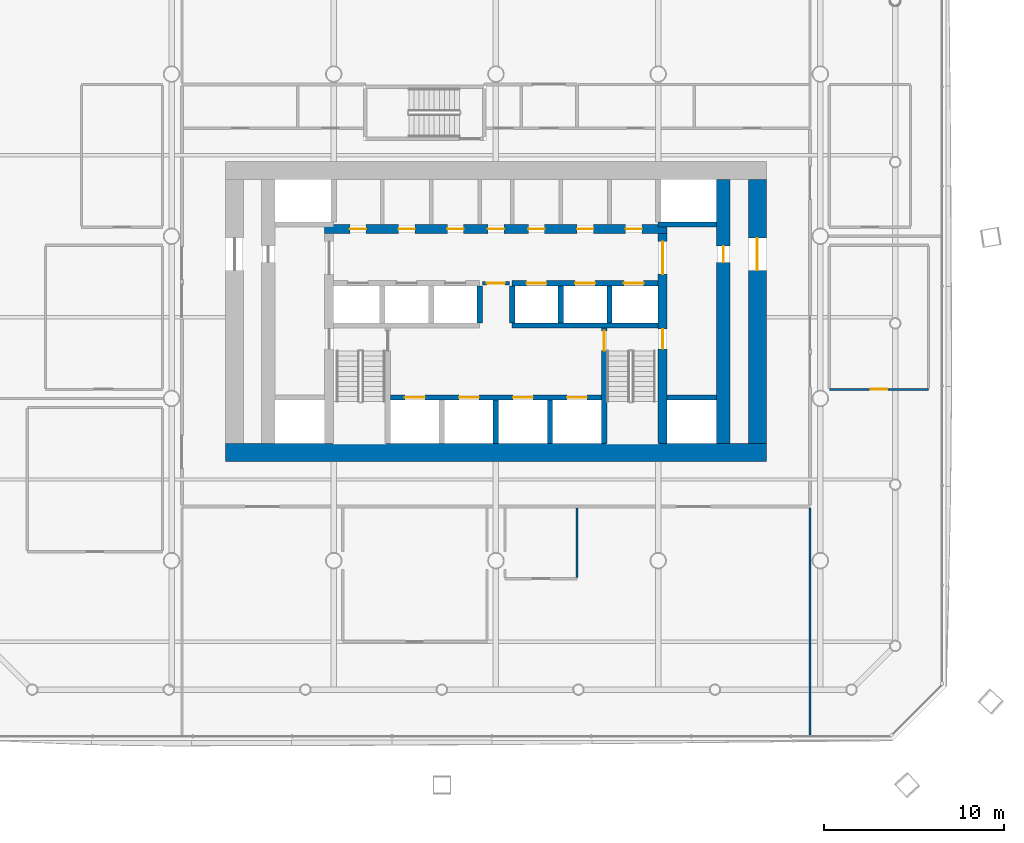
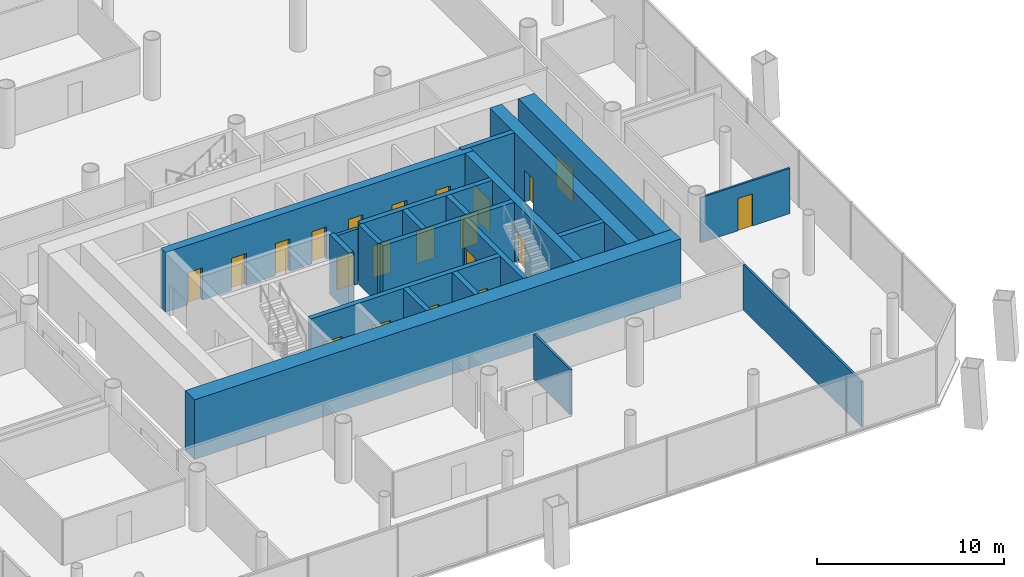
# One storey, part 15 of 22: 21 doors, 21 walls, 21 openings.
"""IFC4 building model written with IfcOpenShell, lengths in metres."""

import ifcopenshell
import ifcopenshell.guid

model = None  # the IFC model being written
_history = None  # IfcOwnerHistory: only IFC2X3 demands one
_inside = {}  # id of a spatial element -> (the spatial element, [elements in it])
_under = {}  # id of a project, library or spatial element -> (it, [spatial elements below it])
_declared = {}  # id of a project -> (the project, [libraries it declares])
_typed = {}  # id of a type object -> (the type object, [elements of that type])
_made_of = {}  # id of a material, layer set ... -> (it, [elements and type objects made of it])


def new_model(schema):
    """Start an empty IFC model of exactly this schema.

    Asked for "IFC4X3", IfcOpenShell would pick the latest addendum, in which some entities
    have other attributes; the version numbers below select the first issue.
    IFC2X3 requires an IfcOwnerHistory on every rooted entity: one is made here for all.
    """
    global model, _history
    if schema == "IFC4X3":
        model = ifcopenshell.file(schema_version=(4, 3, 0, 0))
    else:
        model = ifcopenshell.file(schema=schema)
    _inside.clear()
    _under.clear()
    _declared.clear()
    _typed.clear()
    _made_of.clear()
    _history = None
    if model.schema == "IFC2X3":
        org = make("IfcOrganization", Name="unknown")
        user = make(
            "IfcPersonAndOrganization",
            ThePerson=make("IfcPerson", FamilyName="unknown"),
            TheOrganization=org,
        )
        app = make(
            "IfcApplication",
            ApplicationDeveloper=org,
            Version="unknown",
            ApplicationFullName="unknown",
            ApplicationIdentifier="unknown",
        )
        _history = make(
            "IfcOwnerHistory",
            OwningUser=user,
            OwningApplication=app,
            ChangeAction="ADDED",
            CreationDate=0,
        )
    return model


def make(cls, **values):
    """One entity of the class cls with the attributes given. An attribute that is None is left unset."""
    return model.create_entity(
        cls, **{name: value for name, value in values.items() if value is not None}
    )


def rooted(cls, **values):
    """An entity with a GlobalId (a new one), such as an element, a storey or a relation."""
    return make(cls, GlobalId=ifcopenshell.guid.new(), OwnerHistory=_history, **values)


def si_unit(unit_type, name, prefix=None):
    """IfcSIUnit, for example si_unit("LENGTHUNIT", "METRE", prefix="MILLI")."""
    return make("IfcSIUnit", UnitType=unit_type, Prefix=prefix, Name=name)


def assignment(units):
    """IfcUnitAssignment: the units of a project."""
    return None if units is None else make("IfcUnitAssignment", Units=units)


def point(xyz):
    """IfcCartesianPoint."""
    return None if xyz is None else make("IfcCartesianPoint", Coordinates=xyz)


def direction(xyz):
    """IfcDirection."""
    return None if xyz is None else make("IfcDirection", DirectionRatios=xyz)


def frame(location, z_axis=None, x_axis=None):
    """IfcAxis2Placement3D, a coordinate frame: its origin and axes. An axis left out is left unset."""
    return make(
        "IfcAxis2Placement3D",
        Location=point(location),
        Axis=direction(z_axis),
        RefDirection=direction(x_axis),
    )


def frame_2d(location, x_axis=None):
    """IfcAxis2Placement2D, a coordinate frame in the plane: its origin and x axis."""
    return make(
        "IfcAxis2Placement2D", Location=point(location), RefDirection=direction(x_axis)
    )


def origin():
    """The frame at (0, 0, 0) with its axes left unset."""
    return frame((0.0, 0.0, 0.0))


def place(relative_to, where):
    """IfcLocalPlacement: puts the frame where relative to a parent placement (None: the world)."""
    return make(
        "IfcLocalPlacement", PlacementRelTo=relative_to, RelativePlacement=where
    )


def context(
    kind, dimensions, precision=None, world=None, true_north=None, identifier=None
):
    """IfcGeometricRepresentationContext, for example the 3D "Model" context."""
    return make(
        "IfcGeometricRepresentationContext",
        ContextIdentifier=identifier,
        ContextType=kind,
        CoordinateSpaceDimension=dimensions,
        Precision=precision,
        WorldCoordinateSystem=world,
        TrueNorth=true_north,
    )


def subcontext(parent, identifier, kind, view, scale=None):
    """IfcGeometricRepresentationSubContext, for example "Body" below "Model"."""
    return make(
        "IfcGeometricRepresentationSubContext",
        ContextIdentifier=identifier,
        ContextType=kind,
        ParentContext=parent,
        TargetScale=scale,
        TargetView=view,
    )


def project(units=None, contexts=None):
    """IfcProject with its units and contexts."""
    return rooted(
        "IfcProject",
        Name="project",
        RepresentationContexts=contexts,
        UnitsInContext=assignment(units),
    )


def spatial(cls, under=None, at=None, **own):
    """A site, building, storey or space (cls), placed at a placement, below another one or the project."""
    s = rooted(cls, ObjectPlacement=at, **own)
    if under is not None:
        _under.setdefault(under.id(), (under, []))[1].append(s)
    return s


def profile(cls, at=None, kind="AREA", **sizes):
    """A parametric profile (cls). Its sizes go by their IFC names, for example OverallWidth=200.0."""
    return make(cls, ProfileType=kind, Position=at, **sizes)


def rectangle(**sizes):
    """IfcRectangleProfileDef."""
    return profile("IfcRectangleProfileDef", **sizes)


def extrude(swept, where, along, depth):
    """IfcExtrudedAreaSolid: the profile swept, set in the frame where, extruded along a direction by depth."""
    return make(
        "IfcExtrudedAreaSolid",
        SweptArea=swept,
        Position=where,
        ExtrudedDirection=direction(along),
        Depth=depth,
    )


def shape(context_of_items, identifier, shape_type, items):
    """IfcShapeRepresentation: the items that make up one representation, for example the "Body"."""
    return make(
        "IfcShapeRepresentation",
        ContextOfItems=context_of_items,
        RepresentationIdentifier=identifier,
        RepresentationType=shape_type,
        Items=items,
    )


def material(Name=None, Category=None):
    """IfcMaterial."""
    return make("IfcMaterial", Name=Name, Category=Category)


def layer(
    of_material, thickness, ventilated=None, Name=None, Category=None, Priority=None
):
    """IfcMaterialLayer: one layer of a wall or slab, of a material (None: an air gap)."""
    return make(
        "IfcMaterialLayer",
        Material=of_material,
        LayerThickness=thickness,
        IsVentilated=ventilated,
        Name=Name,
        Category=Category,
        Priority=Priority,
    )


def layer_set(layers, Name=None):
    """IfcMaterialLayerSet."""
    return make("IfcMaterialLayerSet", MaterialLayers=layers, LayerSetName=Name)


def made_of(thing, what):
    """Note that an element or type object is made of a material, layer set ...; save() writes the relation."""
    if what is not None:
        _made_of.setdefault(what.id(), (what, []))[1].append(thing)
    return thing


def type_object(cls, material=None, **own):
    """A type object (cls), such as IfcWallType, which elements share."""
    return made_of(rooted(cls, **own), material)


def element(
    cls,
    number,
    at=None,
    inside=None,
    cuts=None,
    type_object=None,
    material=None,
    context=None,
    identifier="Body",
    shape_type=None,
    held_by="IfcProductDefinitionShape",
    body=None,
    shapes=None,
    **own,
):
    """One element of the class cls, such as IfcWall. Its Tag is "e" and its number.

    at: its placement. inside: the storey or other place that contains it. cuts: it is an
    opening in that element (IfcRelVoidsElement). A single representation is given by context,
    identifier, shape_type and body (its items); several are given by shapes. held_by: the class
    of the entity that holds the representations. save() writes the other relations.
    """
    e = rooted(cls, Tag="e%d" % number, ObjectPlacement=at, **own)
    if body is not None:
        shapes = [shape(context, identifier, shape_type, body)]
    if shapes is not None:
        e.Representation = make(held_by, Representations=shapes)
    if inside is not None:
        _inside.setdefault(inside.id(), (inside, []))[1].append(e)
    if cuts is not None:
        rooted(
            "IfcRelVoidsElement", RelatingBuildingElement=cuts, RelatedOpeningElement=e
        )
    if type_object is not None:
        _typed.setdefault(type_object.id(), (type_object, []))[1].append(e)
    return made_of(e, material)


def fill(opening, filler):
    """IfcRelFillsElement: the door or window that sits in an opening."""
    return rooted(
        "IfcRelFillsElement",
        RelatingOpeningElement=opening,
        RelatedBuildingElement=filler,
    )


def aggregate(whole, parts):
    """IfcRelAggregates: a whole, such as a stair, and the parts it consists of."""
    return rooted("IfcRelAggregates", RelatingObject=whole, RelatedObjects=parts)


def save(model, path):
    """Write the relations noted so far, then the file.

    IfcRelAggregates (storeys below a building ...), IfcRelContainedInSpatialStructure (elements
    in a storey), IfcRelDefinesByType, IfcRelAssociatesMaterial and IfcRelDeclares: one each for
    every whole, place, type object, material and project.
    """
    for whole, parts in _under.values():
        aggregate(whole, parts)
    for where, things in _inside.values():
        rooted(
            "IfcRelContainedInSpatialStructure",
            RelatedElements=things,
            RelatingStructure=where,
        )
    for kind, things in _typed.values():
        rooted("IfcRelDefinesByType", RelatedObjects=things, RelatingType=kind)
    for what, things in _made_of.values():
        rooted("IfcRelAssociatesMaterial", RelatedObjects=things, RelatingMaterial=what)
    for by, libraries in _declared.values():
        rooted("IfcRelDeclares", RelatingContext=by, RelatedDefinitions=libraries)
    model.write(path)


model = new_model("IFC4")

# Units and contexts
model_context = context("Model", 3, precision=1e-05, world=origin(), true_north=direction((0.0, 1.0)))
body_context = subcontext(model_context, "Body", "Model", "MODEL_VIEW")
ifc_project = project(units=[si_unit("LENGTHUNIT", "METRE"), si_unit("AREAUNIT", "SQUARE_METRE"), si_unit("VOLUMEUNIT", "CUBIC_METRE"), si_unit("PLANEANGLEUNIT", "RADIAN"), si_unit("MASSUNIT", "GRAM", prefix="KILO")], contexts=[model_context])

# Site, building, storey
site_placement = place(None, origin())
site = spatial("IfcSite", under=ifc_project, at=site_placement, CompositionType="ELEMENT")
building_placement = place(site_placement, origin())
building = spatial("IfcBuilding", under=site, at=building_placement, Name="Tskaro Facet Tower", CompositionType="ELEMENT")
storey_placement = place(building_placement, frame((0.0, 0.0, 18.60009765625)))
storey = spatial("IfcBuildingStorey", under=building, at=storey_placement, Name="L03", CompositionType="ELEMENT", Elevation=18.60009765625)

# Wall, openings, doors
ifc_material_1 = material(Name="Concrete C60/75", Category="concrete")
ifc_layer_1 = layer(ifc_material_1, 0.300048828125, Name="Concrete C60/75")
ifc_layer_set_1 = layer_set([ifc_layer_1], Name="Concrete C60/75")
wall_type_1 = type_object("IfcWallType", Name="CORE-SHAFT", PredefinedType="SHEAR", material=ifc_layer_set_1)
wall_1_placement = place(storey_placement, frame((-5.85009765625, -8.949951171875, 0.0), z_axis=(0.0, 0.0, 1.0), x_axis=(1.0, 0.0, 0.0)))
wall_1 = element("IfcWall", 1, at=wall_1_placement, inside=storey, type_object=wall_type_1, Name="Shaft wall W008", PredefinedType="SHEAR", context=body_context, shape_type="SweptSolid", body=[
    extrude(rectangle(XDim=11.7001953125, YDim=0.300048828125, at=frame_2d((5.85009765625, 0.0))), origin(), (0.0, 0.0, 1.0), 3.89990234375),
])
opening_1_placement = place(wall_1_placement, frame((0.800048828125, 0.0, 0.0)))
opening_1 = element("IfcOpeningElement", 2, at=opening_1_placement, cuts=wall_1, Name="Opening LD-FF1", PredefinedType="OPENING", context=body_context, shape_type="SweptSolid", body=[
    extrude(rectangle(XDim=1.10009765625, YDim=2.10009765625, at=frame_2d((0.550048828125, 1.050048828125))), frame((0.0, 0.159912109375, 0.0), z_axis=(0.0, -1.0, 0.0), x_axis=(1.0, 0.0, 0.0)), (0.0, 0.0, 1.0), 0.320068359375),
])
opening_2_placement = place(wall_1_placement, frame((3.800048828125, 0.0, 0.0)))
opening_2 = element("IfcOpeningElement", 3, at=opening_2_placement, cuts=wall_1, Name="Opening LD-FF2", PredefinedType="OPENING", context=body_context, shape_type="SweptSolid", body=[
    extrude(rectangle(XDim=1.10009765625, YDim=2.10009765625, at=frame_2d((0.550048828125, 1.050048828125))), frame((0.0, 0.159912109375, 0.0), z_axis=(0.0, -1.0, 0.0), x_axis=(1.0, 0.0, 0.0)), (0.0, 0.0, 1.0), 0.320068359375),
])
opening_3_placement = place(wall_1_placement, frame((6.800048828125, 0.0, 0.0)))
opening_3 = element("IfcOpeningElement", 4, at=opening_3_placement, cuts=wall_1, Name="Opening LD-SV1", PredefinedType="OPENING", context=body_context, shape_type="SweptSolid", body=[
    extrude(rectangle(XDim=1.10009765625, YDim=2.10009765625, at=frame_2d((0.550048828125, 1.050048828125))), frame((0.0, 0.159912109375, 0.0), z_axis=(0.0, -1.0, 0.0), x_axis=(1.0, 0.0, 0.0)), (0.0, 0.0, 1.0), 0.320068359375),
])
opening_4_placement = place(wall_1_placement, frame((9.800048828125, 0.0, 0.0)))
opening_4 = element("IfcOpeningElement", 5, at=opening_4_placement, cuts=wall_1, Name="Opening LD-SV2", PredefinedType="OPENING", context=body_context, shape_type="SweptSolid", body=[
    extrude(rectangle(XDim=1.10009765625, YDim=2.10009765625, at=frame_2d((0.550048828125, 1.050048828125))), frame((0.0, 0.159912109375, 0.0), z_axis=(0.0, -1.0, 0.0), x_axis=(1.0, 0.0, 0.0)), (0.0, 0.0, 1.0), 0.320068359375),
])
ifc_material_2 = material(Name="Stainless steel", Category="steel")
door_type_1 = type_object("IfcDoorType", Name="D-LANDING", OperationType="NOTDEFINED", PredefinedType="DOOR", material=ifc_material_2)
door_1_placement = place(opening_1_placement, origin())
door_1 = element("IfcDoor", 6, at=door_1_placement, inside=storey, type_object=door_type_1, Name="Landing door FF1", OperationType="DOUBLE_DOOR_SLIDING", OverallHeight=2.10009765625, OverallWidth=1.10009765625, PredefinedType="DOOR", context=body_context, shape_type="SweptSolid", body=[
    extrude(rectangle(XDim=1.10009765625, YDim=2.10009765625, at=frame_2d((0.550048828125, 1.050048828125))), frame((0.0, 0.02490234375, 0.0), z_axis=(0.0, -1.0, 0.0), x_axis=(1.0, 0.0, 0.0)), (0.0, 0.0, 1.0), 0.050048828125),
])
fill(opening_1, door_1)
door_2_placement = place(opening_2_placement, origin())
door_2 = element("IfcDoor", 7, at=door_2_placement, inside=storey, type_object=door_type_1, Name="Landing door FF2", OperationType="DOUBLE_DOOR_SLIDING", OverallHeight=2.10009765625, OverallWidth=1.10009765625, PredefinedType="DOOR", context=body_context, shape_type="SweptSolid", body=[
    extrude(rectangle(XDim=1.10009765625, YDim=2.10009765625, at=frame_2d((0.550048828125, 1.050048828125))), frame((0.0, 0.02490234375, 0.0), z_axis=(0.0, -1.0, 0.0), x_axis=(1.0, 0.0, 0.0)), (0.0, 0.0, 1.0), 0.050048828125),
])
fill(opening_2, door_2)
door_3_placement = place(opening_3_placement, origin())
door_3 = element("IfcDoor", 8, at=door_3_placement, inside=storey, type_object=door_type_1, Name="Landing door SV1", OperationType="DOUBLE_DOOR_SLIDING", OverallHeight=2.10009765625, OverallWidth=1.10009765625, PredefinedType="DOOR", context=body_context, shape_type="SweptSolid", body=[
    extrude(rectangle(XDim=1.10009765625, YDim=2.10009765625, at=frame_2d((0.550048828125, 1.050048828125))), frame((0.0, 0.02490234375, 0.0), z_axis=(0.0, -1.0, 0.0), x_axis=(1.0, 0.0, 0.0)), (0.0, 0.0, 1.0), 0.050048828125),
])
fill(opening_3, door_3)
door_4_placement = place(opening_4_placement, origin())
door_4 = element("IfcDoor", 9, at=door_4_placement, inside=storey, type_object=door_type_1, Name="Landing door SV2", OperationType="DOUBLE_DOOR_SLIDING", OverallHeight=2.10009765625, OverallWidth=1.10009765625, PredefinedType="DOOR", context=body_context, shape_type="SweptSolid", body=[
    extrude(rectangle(XDim=1.10009765625, YDim=2.10009765625, at=frame_2d((0.550048828125, 1.050048828125))), frame((0.0, 0.02490234375, 0.0), z_axis=(0.0, -1.0, 0.0), x_axis=(1.0, 0.0, 0.0)), (0.0, 0.0, 1.0), 0.050048828125),
])
fill(opening_4, door_4)

# Walls
wall_2_placement = place(storey_placement, frame((9.5, -8.949951171875, 0.0), z_axis=(0.0, 0.0, 1.0), x_axis=(1.0, 0.0, 0.0)))
element("IfcWall", 10, at=wall_2_placement, inside=storey, type_object=wall_type_1, Name="Shaft wall W009", PredefinedType="SHEAR", context=body_context, shape_type="SweptSolid", body=[
    extrude(rectangle(XDim=2.75, YDim=0.300048828125, at=frame_2d((1.375, 0.0))), origin(), (0.0, 0.0, 1.0), 3.89990234375),
])
wall_3_placement = place(storey_placement, frame((0.89990234375, -4.949951171875, 0.0), z_axis=(0.0, 0.0, 1.0), x_axis=(1.0, 0.0, 0.0)))
element("IfcWall", 11, at=wall_3_placement, inside=storey, type_object=wall_type_1, Name="Shaft wall W013", PredefinedType="SHEAR", context=body_context, shape_type="SweptSolid", body=[
    extrude(rectangle(XDim=8.10009765625, YDim=0.300048828125, at=frame_2d((4.050048828125, 0.0))), origin(), (0.0, 0.0, 1.0), 3.89990234375),
])

# Wall, openings, doors
wall_4_placement = place(storey_placement, frame((0.89990234375, -2.60009765625, 0.0), z_axis=(0.0, 0.0, 1.0), x_axis=(1.0, 0.0, 0.0)))
wall_4 = element("IfcWall", 12, at=wall_4_placement, inside=storey, type_object=wall_type_1, Name="Shaft wall W016", PredefinedType="SHEAR", context=body_context, shape_type="SweptSolid", body=[
    extrude(rectangle(XDim=8.10009765625, YDim=0.300048828125, at=frame_2d((4.050048828125, 0.0))), origin(), (0.0, 0.0, 1.0), 3.89990234375),
])
opening_5_placement = place(wall_4_placement, frame((0.800048828125, 0.0, 0.0)))
opening_5 = element("IfcOpeningElement", 13, at=opening_5_placement, cuts=wall_4, Name="Opening LD-LR4", PredefinedType="OPENING", context=body_context, shape_type="SweptSolid", body=[
    extrude(rectangle(XDim=1.10009765625, YDim=2.10009765625, at=frame_2d((0.550048828125, 1.050048828125))), frame((0.0, 0.159912109375, 0.0), z_axis=(0.0, -1.0, 0.0), x_axis=(1.0, 0.0, 0.0)), (0.0, 0.0, 1.0), 0.320068359375),
])
opening_6_placement = place(wall_4_placement, frame((3.5, 0.0, 0.0)))
opening_6 = element("IfcOpeningElement", 14, at=opening_6_placement, cuts=wall_4, Name="Opening LD-LR5", PredefinedType="OPENING", context=body_context, shape_type="SweptSolid", body=[
    extrude(rectangle(XDim=1.10009765625, YDim=2.10009765625, at=frame_2d((0.550048828125, 1.050048828125))), frame((0.0, 0.159912109375, 0.0), z_axis=(0.0, -1.0, 0.0), x_axis=(1.0, 0.0, 0.0)), (0.0, 0.0, 1.0), 0.320068359375),
])
opening_7_placement = place(wall_4_placement, frame((6.199951171875, 0.0, 0.0)))
opening_7 = element("IfcOpeningElement", 15, at=opening_7_placement, cuts=wall_4, Name="Opening LD-LR6", PredefinedType="OPENING", context=body_context, shape_type="SweptSolid", body=[
    extrude(rectangle(XDim=1.10009765625, YDim=2.10009765625, at=frame_2d((0.550048828125, 1.050048828125))), frame((0.0, 0.159912109375, 0.0), z_axis=(0.0, -1.0, 0.0), x_axis=(1.0, 0.0, 0.0)), (0.0, 0.0, 1.0), 0.320068359375),
])
door_5_placement = place(opening_5_placement, origin())
door_5 = element("IfcDoor", 16, at=door_5_placement, inside=storey, type_object=door_type_1, Name="Landing door LR4", OperationType="DOUBLE_DOOR_SLIDING", OverallHeight=2.10009765625, OverallWidth=1.10009765625, PredefinedType="DOOR", context=body_context, shape_type="SweptSolid", body=[
    extrude(rectangle(XDim=1.10009765625, YDim=2.10009765625, at=frame_2d((0.550048828125, 1.050048828125))), frame((0.0, 0.02490234375, 0.0), z_axis=(0.0, -1.0, 0.0), x_axis=(1.0, 0.0, 0.0)), (0.0, 0.0, 1.0), 0.050048828125),
])
fill(opening_5, door_5)
door_6_placement = place(opening_6_placement, origin())
door_6 = element("IfcDoor", 17, at=door_6_placement, inside=storey, type_object=door_type_1, Name="Landing door LR5", OperationType="DOUBLE_DOOR_SLIDING", OverallHeight=2.10009765625, OverallWidth=1.10009765625, PredefinedType="DOOR", context=body_context, shape_type="SweptSolid", body=[
    extrude(rectangle(XDim=1.10009765625, YDim=2.10009765625, at=frame_2d((0.550048828125, 1.050048828125))), frame((0.0, 0.02490234375, 0.0), z_axis=(0.0, -1.0, 0.0), x_axis=(1.0, 0.0, 0.0)), (0.0, 0.0, 1.0), 0.050048828125),
])
fill(opening_6, door_6)
door_7_placement = place(opening_7_placement, origin())
door_7 = element("IfcDoor", 18, at=door_7_placement, inside=storey, type_object=door_type_1, Name="Landing door LR6", OperationType="DOUBLE_DOOR_SLIDING", OverallHeight=2.10009765625, OverallWidth=1.10009765625, PredefinedType="DOOR", context=body_context, shape_type="SweptSolid", body=[
    extrude(rectangle(XDim=1.10009765625, YDim=2.10009765625, at=frame_2d((0.550048828125, 1.050048828125))), frame((0.0, 0.02490234375, 0.0), z_axis=(0.0, -1.0, 0.0), x_axis=(1.0, 0.0, 0.0)), (0.0, 0.0, 1.0), 0.050048828125),
])
fill(opening_7, door_7)

# Walls
wall_5_placement = place(storey_placement, frame((12.25, 0.64990234375, 0.0), z_axis=(0.0, 0.0, 1.0), x_axis=(-1.0, 0.0, 0.0)))
element("IfcWall", 19, at=wall_5_placement, inside=storey, type_object=wall_type_1, Name="Shaft wall W023", PredefinedType="SHEAR", context=body_context, shape_type="SweptSolid", body=[
    extrude(rectangle(XDim=3.25, YDim=0.300048828125, at=frame_2d((1.625, 0.0))), origin(), (0.0, 0.0, 1.0), 3.89990234375),
])
wall_6_placement = place(storey_placement, frame((-0.89990234375, -4.800048828125, 0.0), z_axis=(0.0, 0.0, 1.0), x_axis=(0.0, 1.0, 0.0)))
element("IfcWall", 20, at=wall_6_placement, inside=storey, type_object=wall_type_1, Name="Shaft wall W057", PredefinedType="SHEAR", context=body_context, shape_type="SweptSolid", body=[
    extrude(rectangle(XDim=2.050048828125, YDim=0.300048828125, at=frame_2d((1.02490234375, 0.0))), origin(), (0.0, 0.0, 1.0), 3.89990234375),
])
wall_7_placement = place(storey_placement, frame((0.0, -11.5, 0.0), z_axis=(0.0, 0.0, 1.0), x_axis=(0.0, 1.0, 0.0)))
element("IfcWall", 21, at=wall_7_placement, inside=storey, type_object=wall_type_1, Name="Shaft wall W063", PredefinedType="SHEAR", context=body_context, shape_type="SweptSolid", body=[
    extrude(rectangle(XDim=2.39990234375, YDim=0.300048828125, at=frame_2d((1.199951171875, 0.0))), origin(), (0.0, 0.0, 1.0), 3.89990234375),
])
wall_8_placement = place(storey_placement, frame((0.89990234375, -4.800048828125, 0.0), z_axis=(0.0, 0.0, 1.0), x_axis=(0.0, 1.0, 0.0)))
element("IfcWall", 22, at=wall_8_placement, inside=storey, type_object=wall_type_1, Name="Shaft wall W066", PredefinedType="SHEAR", context=body_context, shape_type="SweptSolid", body=[
    extrude(rectangle(XDim=2.050048828125, YDim=0.300048828125, at=frame_2d((1.02490234375, 0.0))), origin(), (0.0, 0.0, 1.0), 3.89990234375),
])
wall_9_placement = place(storey_placement, frame((3.0, -11.5, 0.0), z_axis=(0.0, 0.0, 1.0), x_axis=(0.0, 1.0, 0.0)))
element("IfcWall", 23, at=wall_9_placement, inside=storey, type_object=wall_type_1, Name="Shaft wall W069", PredefinedType="SHEAR", context=body_context, shape_type="SweptSolid", body=[
    extrude(rectangle(XDim=2.39990234375, YDim=0.300048828125, at=frame_2d((1.199951171875, 0.0))), origin(), (0.0, 0.0, 1.0), 3.89990234375),
])
wall_10_placement = place(storey_placement, frame((3.60009765625, -4.800048828125, 0.0), z_axis=(0.0, 0.0, 1.0), x_axis=(0.0, 1.0, 0.0)))
element("IfcWall", 24, at=wall_10_placement, inside=storey, type_object=wall_type_1, Name="Shaft wall W070", PredefinedType="SHEAR", context=body_context, shape_type="SweptSolid", body=[
    extrude(rectangle(XDim=2.050048828125, YDim=0.300048828125, at=frame_2d((1.02490234375, 0.0))), origin(), (0.0, 0.0, 1.0), 3.89990234375),
])

# Wall, opening, door
wall_11_placement = place(storey_placement, frame((6.0, -5.10009765625, 0.0), z_axis=(0.0, 0.0, 1.0), x_axis=(0.0, -1.0, 0.0)))
wall_11 = element("IfcWall", 25, at=wall_11_placement, inside=storey, type_object=wall_type_1, Name="Shaft wall W074", PredefinedType="SHEAR", context=body_context, shape_type="SweptSolid", body=[
    extrude(rectangle(XDim=6.39990234375, YDim=0.300048828125, at=frame_2d((3.199951171875, 0.0))), origin(), (0.0, 0.0, 1.0), 3.89990234375),
])
opening_8_placement = place(wall_11_placement, frame((0.14990234375, 0.0, 0.0)))
opening_8 = element("IfcOpeningElement", 26, at=opening_8_placement, cuts=wall_11, Name="Opening ST-2-D1", PredefinedType="OPENING", context=body_context, shape_type="SweptSolid", body=[
    extrude(rectangle(XDim=1.10009765625, YDim=2.10009765625, at=frame_2d((0.550048828125, 1.050048828125))), frame((0.0, 0.159912109375, 0.0), z_axis=(0.0, -1.0, 0.0), x_axis=(1.0, 0.0, 0.0)), (0.0, 0.0, 1.0), 0.320068359375),
])
ifc_material_3 = material(Name="Steel", Category="steel")
door_type_2 = type_object("IfcDoorType", Name="D-STAIR", OperationType="NOTDEFINED", PredefinedType="DOOR", material=ifc_material_3)
door_8_placement = place(opening_8_placement, origin())
door_8 = element("IfcDoor", 27, at=door_8_placement, inside=storey, type_object=door_type_2, Name="Stair door 2", OperationType="SINGLE_SWING_RIGHT", OverallHeight=2.10009765625, OverallWidth=1.10009765625, PredefinedType="DOOR", context=body_context, shape_type="SweptSolid", body=[
    extrude(rectangle(XDim=1.10009765625, YDim=2.10009765625, at=frame_2d((0.550048828125, 1.050048828125))), frame((0.0, 0.02490234375, 0.0), z_axis=(0.0, -1.0, 0.0), x_axis=(1.0, 0.0, 0.0)), (0.0, 0.0, 1.0), 0.050048828125),
])
fill(opening_8, door_8)

# Wall
wall_12_placement = place(storey_placement, frame((6.300048828125, -4.800048828125, 0.0), z_axis=(0.0, 0.0, 1.0), x_axis=(0.0, 1.0, 0.0)))
element("IfcWall", 28, at=wall_12_placement, inside=storey, type_object=wall_type_1, Name="Shaft wall W075", PredefinedType="SHEAR", context=body_context, shape_type="SweptSolid", body=[
    extrude(rectangle(XDim=2.050048828125, YDim=0.300048828125, at=frame_2d((1.02490234375, 0.0))), origin(), (0.0, 0.0, 1.0), 3.89990234375),
])

# Wall, opening, door
ifc_material_4 = material(Name="Concrete C20/25", Category="concrete")
ifc_layer_2 = layer(ifc_material_4, 0.199951171875, Name="Concrete C20/25")
ifc_layer_set_2 = layer_set([ifc_layer_2], Name="Concrete C20/25")
wall_type_2 = type_object("IfcWallType", Name="CORE-WALL", PredefinedType="SOLIDWALL", material=ifc_layer_set_2)
wall_13_placement = place(storey_placement, frame((0.75, -2.60009765625, 0.0), z_axis=(0.0, 0.0, 1.0), x_axis=(-1.0, 0.0, 0.0)))
wall_13 = element("IfcWall", 29, at=wall_13_placement, inside=storey, type_object=wall_type_2, Name="Core room wall W015", PredefinedType="SOLIDWALL", context=body_context, shape_type="SweptSolid", body=[
    extrude(rectangle(XDim=1.5, YDim=0.199951171875, at=frame_2d((0.75, 0.0))), origin(), (0.0, 0.0, 1.0), 3.599853515625),
])
opening_9_placement = place(wall_13_placement, frame((0.25, 0.0, 0.0)))
opening_9 = element("IfcOpeningElement", 30, at=opening_9_placement, cuts=wall_13, Name="Opening FL-D1", PredefinedType="OPENING", context=body_context, shape_type="SweptSolid", body=[
    extrude(rectangle(XDim=1.0, YDim=2.10009765625, at=frame_2d((0.5, 1.050048828125))), frame((0.0, 0.10986328125, 0.0), z_axis=(0.0, -1.0, 0.0), x_axis=(1.0, 0.0, 0.0)), (0.0, 0.0, 1.0), 0.219970703125),
])
door_type_3 = type_object("IfcDoorType", Name="D-LOBBY", OperationType="NOTDEFINED", PredefinedType="DOOR", material=ifc_material_3)
door_9_placement = place(opening_9_placement, origin())
door_9 = element("IfcDoor", 31, at=door_9_placement, inside=storey, type_object=door_type_3, Name="Lobby door FL", OperationType="SINGLE_SWING_RIGHT", OverallHeight=2.10009765625, OverallWidth=1.0, PredefinedType="DOOR", context=body_context, shape_type="SweptSolid", body=[
    extrude(rectangle(XDim=1.0, YDim=2.10009765625, at=frame_2d((0.5, 1.050048828125))), frame((0.0, 0.02490234375, 0.0), z_axis=(0.0, -1.0, 0.0), x_axis=(1.0, 0.0, 0.0)), (0.0, 0.0, 1.0), 0.050048828125),
])
fill(opening_9, door_9)

# Wall
ifc_layer_3 = layer(ifc_material_1, 1.0, Name="Concrete C60/75")
ifc_layer_set_3 = layer_set([ifc_layer_3], Name="Concrete C60/75")
wall_type_3 = type_object("IfcWallType", Name="Core wall 1000", PredefinedType="SHEAR", material=ifc_layer_set_3)
wall_14_placement = place(storey_placement, frame((-15.0, -12.0, 0.0), z_axis=(0.0, 0.0, 1.0), x_axis=(1.0, 0.0, 0.0)))
element("IfcWall", 32, at=wall_14_placement, inside=storey, type_object=wall_type_3, Name="Core wall CW-Z1S", PredefinedType="SHEAR", context=body_context, shape_type="SweptSolid", body=[
    extrude(rectangle(XDim=30.0, YDim=1.0, at=frame_2d((15.0, 0.0))), origin(), (0.0, 0.0, 1.0), 3.89990234375),
])

# Wall, opening, door
wall_15_placement = place(storey_placement, frame((14.5, -11.5, 0.0), z_axis=(0.0, 0.0, 1.0), x_axis=(0.0, 1.0, 0.0)))
wall_15 = element("IfcWall", 33, at=wall_15_placement, inside=storey, type_object=wall_type_3, Name="Core wall CW-Z1E", PredefinedType="SHEAR", context=body_context, shape_type="SweptSolid", body=[
    extrude(rectangle(XDim=14.64990234375, YDim=1.0, at=frame_2d((7.324951171875, 0.0))), origin(), (0.0, 0.0, 1.0), 3.89990234375),
])
opening_10_placement = place(wall_15_placement, frame((9.60009765625, 0.0, 0.0)))
opening_10 = element("IfcOpeningElement", 34, at=opening_10_placement, cuts=wall_15, Name="Opening T0-D20", PredefinedType="OPENING", context=body_context, shape_type="SweptSolid", body=[
    extrude(rectangle(XDim=1.800048828125, YDim=2.10009765625, at=frame_2d((0.89990234375, 1.050048828125))), frame((0.0, 0.510009765625, 0.0), z_axis=(0.0, -1.0, 0.0), x_axis=(1.0, 0.0, 0.0)), (0.0, 0.0, 1.0), 1.02001953125),
])
door_type_4 = type_object("IfcDoorType", Name="D-CORE-PAIR", OperationType="NOTDEFINED", PredefinedType="DOOR", material=ifc_material_3)
door_10_placement = place(opening_10_placement, origin())
door_10 = element("IfcDoor", 35, at=door_10_placement, inside=storey, type_object=door_type_4, Name="Door T0-D20", OperationType="DOUBLE_DOOR_SINGLE_SWING", OverallHeight=2.10009765625, OverallWidth=1.800048828125, PredefinedType="DOOR", context=body_context, shape_type="SweptSolid", body=[
    extrude(rectangle(XDim=1.800048828125, YDim=2.10009765625, at=frame_2d((0.89990234375, 1.050048828125))), frame((0.0, 0.02490234375, 0.0), z_axis=(0.0, -1.0, 0.0), x_axis=(1.0, 0.0, 0.0)), (0.0, 0.0, 1.0), 0.050048828125),
])
fill(opening_10, door_10)

# Wall, openings, doors
ifc_material_5 = material(Name="Concrete C40/50", Category="concrete")
ifc_layer_4 = layer(ifc_material_5, 0.5, Name="Concrete C40/50")
ifc_layer_set_4 = layer_set([ifc_layer_4], Name="Concrete C40/50")
wall_type_4 = type_object("IfcWallType", Name="Core wall 500", PredefinedType="SHEAR", material=ifc_layer_set_4)
wall_16_placement = place(storey_placement, frame((-9.5, 0.39990234375, 0.0), z_axis=(0.0, 0.0, 1.0), x_axis=(1.0, 0.0, 0.0)))
wall_16 = element("IfcWall", 36, at=wall_16_placement, inside=storey, type_object=wall_type_4, Name="Core wall CW-Z3N", PredefinedType="SHEAR", context=body_context, shape_type="SweptSolid", body=[
    extrude(rectangle(XDim=19.0, YDim=0.5, at=frame_2d((9.5, 0.0))), origin(), (0.0, 0.0, 1.0), 3.89990234375),
])
opening_11_placement = place(wall_16_placement, frame((1.39990234375, 0.0, 0.0)))
opening_11 = element("IfcOpeningElement", 37, at=opening_11_placement, cuts=wall_16, Name="Opening T0-D21", PredefinedType="OPENING", context=body_context, shape_type="SweptSolid", body=[
    extrude(rectangle(XDim=0.89990234375, YDim=2.10009765625, at=frame_2d((0.449951171875, 1.050048828125))), frame((0.0, 0.260009765625, 0.0), z_axis=(0.0, -1.0, 0.0), x_axis=(1.0, 0.0, 0.0)), (0.0, 0.0, 1.0), 0.52001953125),
])
opening_12_placement = place(wall_16_placement, frame((4.10009765625, 0.0, 0.0)))
opening_12 = element("IfcOpeningElement", 38, at=opening_12_placement, cuts=wall_16, Name="Opening T0-D22", PredefinedType="OPENING", context=body_context, shape_type="SweptSolid", body=[
    extrude(rectangle(XDim=0.89990234375, YDim=2.10009765625, at=frame_2d((0.449951171875, 1.050048828125))), frame((0.0, 0.260009765625, 0.0), z_axis=(0.0, -1.0, 0.0), x_axis=(1.0, 0.0, 0.0)), (0.0, 0.0, 1.0), 0.52001953125),
])
opening_13_placement = place(wall_16_placement, frame((6.800048828125, 0.0, 0.0)))
opening_13 = element("IfcOpeningElement", 39, at=opening_13_placement, cuts=wall_16, Name="Opening T0-D23", PredefinedType="OPENING", context=body_context, shape_type="SweptSolid", body=[
    extrude(rectangle(XDim=0.89990234375, YDim=2.10009765625, at=frame_2d((0.449951171875, 1.050048828125))), frame((0.0, 0.260009765625, 0.0), z_axis=(0.0, -1.0, 0.0), x_axis=(1.0, 0.0, 0.0)), (0.0, 0.0, 1.0), 0.52001953125),
])
opening_14_placement = place(wall_16_placement, frame((11.300048828125, 0.0, 0.0)))
opening_14 = element("IfcOpeningElement", 40, at=opening_14_placement, cuts=wall_16, Name="Opening T0-D25", PredefinedType="OPENING", context=body_context, shape_type="SweptSolid", body=[
    extrude(rectangle(XDim=0.89990234375, YDim=2.10009765625, at=frame_2d((0.449951171875, 1.050048828125))), frame((0.0, 0.260009765625, 0.0), z_axis=(0.0, -1.0, 0.0), x_axis=(1.0, 0.0, 0.0)), (0.0, 0.0, 1.0), 0.52001953125),
])
opening_15_placement = place(wall_16_placement, frame((14.0, 0.0, 0.0)))
opening_15 = element("IfcOpeningElement", 41, at=opening_15_placement, cuts=wall_16, Name="Opening T0-D26", PredefinedType="OPENING", context=body_context, shape_type="SweptSolid", body=[
    extrude(rectangle(XDim=0.89990234375, YDim=2.10009765625, at=frame_2d((0.449951171875, 1.050048828125))), frame((0.0, 0.260009765625, 0.0), z_axis=(0.0, -1.0, 0.0), x_axis=(1.0, 0.0, 0.0)), (0.0, 0.0, 1.0), 0.52001953125),
])
opening_16_placement = place(wall_16_placement, frame((16.699951171875, 0.0, 0.0)))
opening_16 = element("IfcOpeningElement", 42, at=opening_16_placement, cuts=wall_16, Name="Opening T0-D27", PredefinedType="OPENING", context=body_context, shape_type="SweptSolid", body=[
    extrude(rectangle(XDim=0.89990234375, YDim=2.10009765625, at=frame_2d((0.449951171875, 1.050048828125))), frame((0.0, 0.260009765625, 0.0), z_axis=(0.0, -1.0, 0.0), x_axis=(1.0, 0.0, 0.0)), (0.0, 0.0, 1.0), 0.52001953125),
])
opening_17_placement = place(wall_16_placement, frame((9.050048828125, 0.0, 0.0)))
opening_17 = element("IfcOpeningElement", 43, at=opening_17_placement, cuts=wall_16, Name="Opening T0-D24", PredefinedType="OPENING", context=body_context, shape_type="SweptSolid", body=[
    extrude(rectangle(XDim=0.89990234375, YDim=2.10009765625, at=frame_2d((0.449951171875, 1.050048828125))), frame((0.0, 0.260009765625, 0.0), z_axis=(0.0, -1.0, 0.0), x_axis=(1.0, 0.0, 0.0)), (0.0, 0.0, 1.0), 0.52001953125),
])
door_type_5 = type_object("IfcDoorType", Name="D-RISER", OperationType="NOTDEFINED", PredefinedType="DOOR", material=ifc_material_3)
door_11_placement = place(opening_17_placement, origin())
door_11 = element("IfcDoor", 44, at=door_11_placement, inside=storey, type_object=door_type_5, Name="Door T0-D24", OperationType="SINGLE_SWING_LEFT", OverallHeight=2.10009765625, OverallWidth=0.89990234375, PredefinedType="DOOR", context=body_context, shape_type="SweptSolid", body=[
    extrude(rectangle(XDim=0.89990234375, YDim=2.10009765625, at=frame_2d((0.449951171875, 1.050048828125))), frame((0.0, 0.02490234375, 0.0), z_axis=(0.0, -1.0, 0.0), x_axis=(1.0, 0.0, 0.0)), (0.0, 0.0, 1.0), 0.050048828125),
])
fill(opening_17, door_11)
ifc_material_6 = material(Name="Timber", Category="wood")
door_type_6 = type_object("IfcDoorType", Name="D-ROOM", OperationType="NOTDEFINED", PredefinedType="DOOR", material=ifc_material_6)
door_12_placement = place(opening_11_placement, origin())
door_12 = element("IfcDoor", 45, at=door_12_placement, inside=storey, type_object=door_type_6, Name="Door T0-D21", OperationType="SINGLE_SWING_LEFT", OverallHeight=2.10009765625, OverallWidth=0.89990234375, PredefinedType="DOOR", context=body_context, shape_type="SweptSolid", body=[
    extrude(rectangle(XDim=0.89990234375, YDim=2.10009765625, at=frame_2d((0.449951171875, 1.050048828125))), frame((0.0, 0.02490234375, 0.0), z_axis=(0.0, -1.0, 0.0), x_axis=(1.0, 0.0, 0.0)), (0.0, 0.0, 1.0), 0.050048828125),
])
fill(opening_11, door_12)
door_13_placement = place(opening_12_placement, origin())
door_13 = element("IfcDoor", 46, at=door_13_placement, inside=storey, type_object=door_type_6, Name="Door T0-D22", OperationType="SINGLE_SWING_LEFT", OverallHeight=2.10009765625, OverallWidth=0.89990234375, PredefinedType="DOOR", context=body_context, shape_type="SweptSolid", body=[
    extrude(rectangle(XDim=0.89990234375, YDim=2.10009765625, at=frame_2d((0.449951171875, 1.050048828125))), frame((0.0, 0.02490234375, 0.0), z_axis=(0.0, -1.0, 0.0), x_axis=(1.0, 0.0, 0.0)), (0.0, 0.0, 1.0), 0.050048828125),
])
fill(opening_12, door_13)
door_14_placement = place(opening_13_placement, origin())
door_14 = element("IfcDoor", 47, at=door_14_placement, inside=storey, type_object=door_type_6, Name="Door T0-D23", OperationType="SINGLE_SWING_LEFT", OverallHeight=2.10009765625, OverallWidth=0.89990234375, PredefinedType="DOOR", context=body_context, shape_type="SweptSolid", body=[
    extrude(rectangle(XDim=0.89990234375, YDim=2.10009765625, at=frame_2d((0.449951171875, 1.050048828125))), frame((0.0, 0.02490234375, 0.0), z_axis=(0.0, -1.0, 0.0), x_axis=(1.0, 0.0, 0.0)), (0.0, 0.0, 1.0), 0.050048828125),
])
fill(opening_13, door_14)
door_15_placement = place(opening_14_placement, origin())
door_15 = element("IfcDoor", 48, at=door_15_placement, inside=storey, type_object=door_type_6, Name="Door T0-D25", OperationType="SINGLE_SWING_LEFT", OverallHeight=2.10009765625, OverallWidth=0.89990234375, PredefinedType="DOOR", context=body_context, shape_type="SweptSolid", body=[
    extrude(rectangle(XDim=0.89990234375, YDim=2.10009765625, at=frame_2d((0.449951171875, 1.050048828125))), frame((0.0, 0.02490234375, 0.0), z_axis=(0.0, -1.0, 0.0), x_axis=(1.0, 0.0, 0.0)), (0.0, 0.0, 1.0), 0.050048828125),
])
fill(opening_14, door_15)
door_16_placement = place(opening_15_placement, origin())
door_16 = element("IfcDoor", 49, at=door_16_placement, inside=storey, type_object=door_type_6, Name="Door T0-D26", OperationType="SINGLE_SWING_LEFT", OverallHeight=2.10009765625, OverallWidth=0.89990234375, PredefinedType="DOOR", context=body_context, shape_type="SweptSolid", body=[
    extrude(rectangle(XDim=0.89990234375, YDim=2.10009765625, at=frame_2d((0.449951171875, 1.050048828125))), frame((0.0, 0.02490234375, 0.0), z_axis=(0.0, -1.0, 0.0), x_axis=(1.0, 0.0, 0.0)), (0.0, 0.0, 1.0), 0.050048828125),
])
fill(opening_15, door_16)
door_17_placement = place(opening_16_placement, origin())
door_17 = element("IfcDoor", 50, at=door_17_placement, inside=storey, type_object=door_type_6, Name="Door T0-D27", OperationType="SINGLE_SWING_LEFT", OverallHeight=2.10009765625, OverallWidth=0.89990234375, PredefinedType="DOOR", context=body_context, shape_type="SweptSolid", body=[
    extrude(rectangle(XDim=0.89990234375, YDim=2.10009765625, at=frame_2d((0.449951171875, 1.050048828125))), frame((0.0, 0.02490234375, 0.0), z_axis=(0.0, -1.0, 0.0), x_axis=(1.0, 0.0, 0.0)), (0.0, 0.0, 1.0), 0.050048828125),
])
fill(opening_16, door_17)

wall_17_placement = place(storey_placement, frame((9.25, -11.5, 0.0), z_axis=(0.0, 0.0, 1.0), x_axis=(0.0, 1.0, 0.0)))
wall_17 = element("IfcWall", 51, at=wall_17_placement, inside=storey, type_object=wall_type_4, Name="Core wall CW-Z3E", PredefinedType="SHEAR", context=body_context, shape_type="SweptSolid", body=[
    extrude(rectangle(XDim=11.64990234375, YDim=0.5, at=frame_2d((5.824951171875, 0.0))), origin(), (0.0, 0.0, 1.0), 3.89990234375),
])
opening_18_placement = place(wall_17_placement, frame((9.39990234375, 0.0, 0.0)))
opening_18 = element("IfcOpeningElement", 52, at=opening_18_placement, cuts=wall_17, Name="Opening T0-D16", PredefinedType="OPENING", context=body_context, shape_type="SweptSolid", body=[
    extrude(rectangle(XDim=1.800048828125, YDim=2.10009765625, at=frame_2d((0.89990234375, 1.050048828125))), frame((0.0, 0.260009765625, 0.0), z_axis=(0.0, -1.0, 0.0), x_axis=(1.0, 0.0, 0.0)), (0.0, 0.0, 1.0), 0.52001953125),
])
opening_19_placement = place(wall_17_placement, frame((5.25, 0.0, 0.0)))
opening_19 = element("IfcOpeningElement", 53, at=opening_19_placement, cuts=wall_17, Name="Opening ST-2-D2", PredefinedType="OPENING", context=body_context, shape_type="SweptSolid", body=[
    extrude(rectangle(XDim=1.10009765625, YDim=2.10009765625, at=frame_2d((0.550048828125, 1.050048828125))), frame((0.0, 0.260009765625, 0.0), z_axis=(0.0, -1.0, 0.0), x_axis=(1.0, 0.0, 0.0)), (0.0, 0.0, 1.0), 0.52001953125),
])
door_18_placement = place(opening_18_placement, origin())
door_18 = element("IfcDoor", 54, at=door_18_placement, inside=storey, type_object=door_type_4, Name="Door T0-D16", OperationType="DOUBLE_DOOR_SINGLE_SWING", OverallHeight=2.10009765625, OverallWidth=1.800048828125, PredefinedType="DOOR", context=body_context, shape_type="SweptSolid", body=[
    extrude(rectangle(XDim=1.800048828125, YDim=2.10009765625, at=frame_2d((0.89990234375, 1.050048828125))), frame((0.0, 0.02490234375, 0.0), z_axis=(0.0, -1.0, 0.0), x_axis=(1.0, 0.0, 0.0)), (0.0, 0.0, 1.0), 0.050048828125),
])
fill(opening_18, door_18)
door_19_placement = place(opening_19_placement, origin())
door_19 = element("IfcDoor", 55, at=door_19_placement, inside=storey, type_object=door_type_2, Name="Stair door 2 east", OperationType="SINGLE_SWING_LEFT", OverallHeight=2.10009765625, OverallWidth=1.10009765625, PredefinedType="DOOR", context=body_context, shape_type="SweptSolid", body=[
    extrude(rectangle(XDim=1.10009765625, YDim=2.10009765625, at=frame_2d((0.550048828125, 1.050048828125))), frame((0.0, 0.02490234375, 0.0), z_axis=(0.0, -1.0, 0.0), x_axis=(1.0, 0.0, 0.0)), (0.0, 0.0, 1.0), 0.050048828125),
])
fill(opening_19, door_19)

# Wall, opening, door
ifc_material_7 = material(Name="Concrete C50/60", Category="concrete")
ifc_layer_5 = layer(ifc_material_7, 0.75, Name="Concrete C50/60")
ifc_layer_set_5 = layer_set([ifc_layer_5], Name="Concrete C50/60")
wall_type_5 = type_object("IfcWallType", Name="Core wall 750", PredefinedType="SHEAR", material=ifc_layer_set_5)
wall_18_placement = place(storey_placement, frame((12.625, -11.5, 0.0), z_axis=(0.0, 0.0, 1.0), x_axis=(0.0, 1.0, 0.0)))
wall_18 = element("IfcWall", 56, at=wall_18_placement, inside=storey, type_object=wall_type_5, Name="Core wall CW-Z2E", PredefinedType="SHEAR", context=body_context, shape_type="SweptSolid", body=[
    extrude(rectangle(XDim=14.64990234375, YDim=0.75, at=frame_2d((7.324951171875, 0.0))), origin(), (0.0, 0.0, 1.0), 3.89990234375),
])
opening_20_placement = place(wall_18_placement, frame((10.050048828125, 0.0, 0.0)))
opening_20 = element("IfcOpeningElement", 57, at=opening_20_placement, cuts=wall_18, Name="Opening T0-D19", PredefinedType="OPENING", context=body_context, shape_type="SweptSolid", body=[
    extrude(rectangle(XDim=0.89990234375, YDim=2.10009765625, at=frame_2d((0.449951171875, 1.050048828125))), frame((0.0, 0.385009765625, 0.0), z_axis=(0.0, -1.0, 0.0), x_axis=(1.0, 0.0, 0.0)), (0.0, 0.0, 1.0), 0.77001953125),
])
door_20_placement = place(opening_20_placement, origin())
door_20 = element("IfcDoor", 58, at=door_20_placement, inside=storey, type_object=door_type_6, Name="Door T0-D19", OperationType="SINGLE_SWING_LEFT", OverallHeight=2.10009765625, OverallWidth=0.89990234375, PredefinedType="DOOR", context=body_context, shape_type="SweptSolid", body=[
    extrude(rectangle(XDim=0.89990234375, YDim=2.10009765625, at=frame_2d((0.449951171875, 1.050048828125))), frame((0.0, 0.02490234375, 0.0), z_axis=(0.0, -1.0, 0.0), x_axis=(1.0, 0.0, 0.0)), (0.0, 0.0, 1.0), 0.050048828125),
])
fill(opening_20, door_20)

ifc_material_8 = material(Name="Gypsum board on steel studs", Category="steel")
ifc_layer_6 = layer(ifc_material_8, 0.125, Name="Gypsum board on steel studs")
ifc_layer_set_6 = layer_set([ifc_layer_6], Name="Gypsum board on steel studs")
wall_type_6 = type_object("IfcWallType", Name="PART", PredefinedType="PARTITIONING", material=ifc_layer_set_6)
wall_19_placement = place(storey_placement, frame((18.5, -8.5, 0.0), z_axis=(0.0, 0.0, 1.0), x_axis=(1.0, 0.0, 0.0)))
wall_19 = element("IfcWall", 59, at=wall_19_placement, inside=storey, type_object=wall_type_6, Name="Partition W011", PredefinedType="PARTITIONING", context=body_context, shape_type="SweptSolid", body=[
    extrude(rectangle(XDim=5.5, YDim=0.125, at=frame_2d((2.75, 0.0))), origin(), (0.0, 0.0, 1.0), 2.9599609375),
])
opening_21_placement = place(wall_19_placement, frame((2.300048828125, 0.0, 0.0)))
opening_21 = element("IfcOpeningElement", 60, at=opening_21_placement, cuts=wall_19, Name="Opening T0-D10", PredefinedType="OPENING", context=body_context, shape_type="SweptSolid", body=[
    extrude(rectangle(XDim=0.89990234375, YDim=2.10009765625, at=frame_2d((0.449951171875, 1.050048828125))), frame((0.0, 0.072509765625, 0.0), z_axis=(0.0, -1.0, 0.0), x_axis=(1.0, 0.0, 0.0)), (0.0, 0.0, 1.0), 0.14501953125),
])
door_21_placement = place(opening_21_placement, origin())
door_21 = element("IfcDoor", 61, at=door_21_placement, inside=storey, type_object=door_type_6, Name="Door T0-D10", OperationType="SINGLE_SWING_LEFT", OverallHeight=2.10009765625, OverallWidth=0.89990234375, PredefinedType="DOOR", context=body_context, shape_type="SweptSolid", body=[
    extrude(rectangle(XDim=0.89990234375, YDim=2.10009765625, at=frame_2d((0.449951171875, 1.050048828125))), frame((0.0, 0.02490234375, 0.0), z_axis=(0.0, -1.0, 0.0), x_axis=(1.0, 0.0, 0.0)), (0.0, 0.0, 1.0), 0.050048828125),
])
fill(opening_21, door_21)

# Walls
wall_20_placement = place(storey_placement, frame((4.5, -18.9375, 0.0), z_axis=(0.0, 0.0, 1.0), x_axis=(0.0, 1.0, 0.0)))
element("IfcWall", 62, at=wall_20_placement, inside=storey, type_object=wall_type_6, Name="Partition W072", PredefinedType="PARTITIONING", context=body_context, shape_type="SweptSolid", body=[
    extrude(rectangle(XDim=3.862548828125, YDim=0.125, at=frame_2d((1.93115234375, 0.0))), origin(), (0.0, 0.0, 1.0), 2.9599609375),
])
wall_21_placement = place(storey_placement, frame((17.425048828125, -27.699951171875, 0.0), z_axis=(0.0, 0.0, 1.0), x_axis=(0.0, 1.0, 0.0)))
element("IfcWall", 63, at=wall_21_placement, inside=storey, type_object=wall_type_6, Name="Partition W079", PredefinedType="PARTITIONING", context=body_context, shape_type="SweptSolid", body=[
    extrude(rectangle(XDim=12.625, YDim=0.125, at=frame_2d((6.3125, 0.0))), origin(), (0.0, 0.0, 1.0), 2.9599609375),
])

save(model, "model.ifc")
